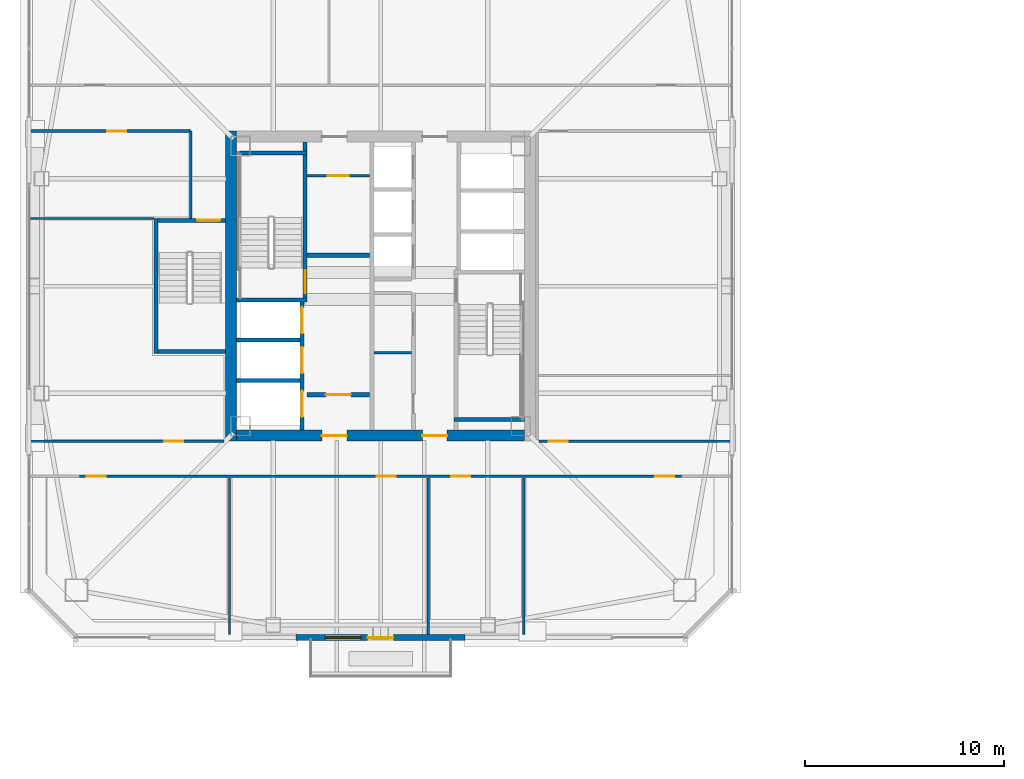
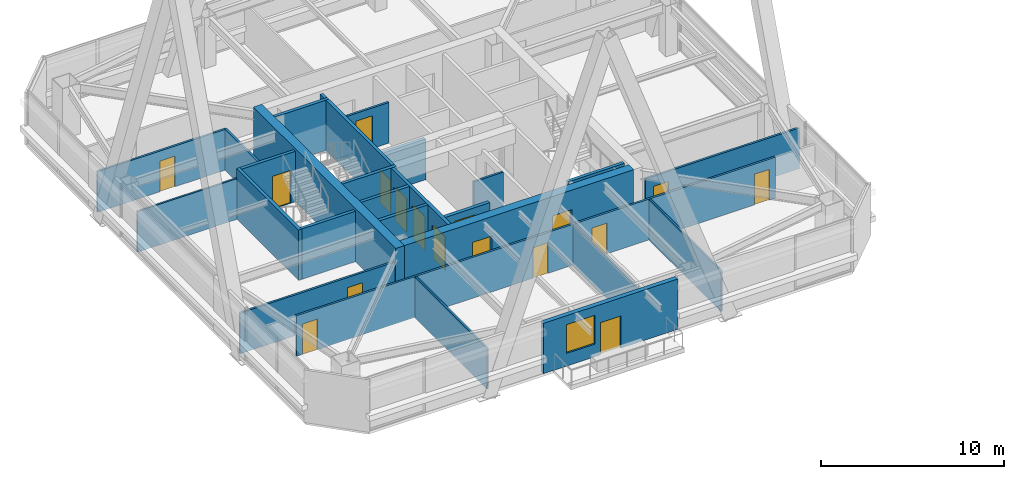
# One storey, part 45 of 55: 26 walls, 17 doors, 1 window, 18 openings.
"""IFC4 building model written with IfcOpenShell, lengths in metres."""

from ifc_helpers import new_model, si_unit, direction, frame, frame_2d, origin, place, context, subcontext, project, spatial, rectangle, extrude, material, layer, layer_set, type_object, element, fill, save


model = new_model("IFC4")

# Units and contexts
model_context = context("Model", 3, precision=1e-05, world=origin(), true_north=direction((0.0, 1.0)))
body_context = subcontext(model_context, "Body", "Model", "MODEL_VIEW")
ifc_project = project(units=[si_unit("LENGTHUNIT", "METRE"), si_unit("AREAUNIT", "SQUARE_METRE"), si_unit("VOLUMEUNIT", "CUBIC_METRE"), si_unit("PLANEANGLEUNIT", "RADIAN"), si_unit("MASSUNIT", "GRAM", prefix="KILO")], contexts=[model_context])

# Site, building, storey
site_placement = place(None, origin())
site = spatial("IfcSite", under=ifc_project, at=site_placement, CompositionType="ELEMENT")
building_placement = place(site_placement, origin())
building = spatial("IfcBuilding", under=site, at=building_placement, Name="Tashvorn Skyway Center", CompositionType="ELEMENT")
storey_placement = place(building_placement, frame((0.0, 0.0, 178.300048828125)))
storey = spatial("IfcBuildingStorey", under=building, at=storey_placement, Name="L48", CompositionType="ELEMENT", Elevation=178.300048828125)

# Wall
ifc_material_1 = material(Name="Concrete C60/75", Category="concrete")
ifc_layer_1 = layer(ifc_material_1, 0.550048828125)
ifc_layer_set_1 = layer_set([ifc_layer_1], Name="Concrete C60/75")
wall_type_1 = type_object("IfcWallType", Name="WALL-CORE-550", PredefinedType="SHEAR", material=ifc_layer_set_1)
wall_1_placement = place(storey_placement, frame((34.47509765625, 24.199951171875, 0.0), z_axis=(0.0, 0.0, 1.0), x_axis=(0.0, 1.0, 0.0)))
element("IfcWall", 1, at=wall_1_placement, inside=storey, type_object=wall_type_1, Name="Tower 1 L48 West Core Shear Wall", PredefinedType="SHEAR", context=body_context, shape_type="SweptSolid", body=[
    extrude(rectangle(XDim=15.60009765625, YDim=0.550048828125, at=frame_2d((7.800048828125, 0.0))), origin(), (0.0, 0.0, 1.0), 3.550048828125),
])

# Wall, openings, doors
wall_2_placement = place(storey_placement, frame((49.25, 24.47509765625, 0.0), z_axis=(0.0, 0.0, 1.0), x_axis=(-1.0, 0.0, 0.0)))
wall_2 = element("IfcWall", 2, at=wall_2_placement, inside=storey, type_object=wall_type_1, Name="Tower 1 L48 South Core Shear Wall", PredefinedType="SHEAR", context=body_context, shape_type="SweptSolid", body=[
    extrude(rectangle(XDim=14.5, YDim=0.550048828125, at=frame_2d((7.25, 0.0))), origin(), (0.0, 0.0, 1.0), 3.550048828125),
])
opening_1_placement = place(wall_2_placement, frame((8.949951171875, 0.0, 0.0)))
opening_1 = element("IfcOpeningElement", 3, at=opening_1_placement, cuts=wall_2, Name="Opening D-FFL-1250", PredefinedType="OPENING", context=body_context, shape_type="SweptSolid", body=[
    extrude(rectangle(XDim=1.25, YDim=2.25, at=frame_2d((0.625, 1.125))), frame((0.0, 0.284912109375, 0.0), z_axis=(0.0, -1.0, 0.0), x_axis=(1.0, 0.0, 0.0)), (0.0, 0.0, 1.0), 0.570068359375),
])
opening_2_placement = place(wall_2_placement, frame((3.89990234375, 0.0, 0.0)))
opening_2 = element("IfcOpeningElement", 4, at=opening_2_placement, cuts=wall_2, Name="Opening D-FFL-1250", PredefinedType="OPENING", context=body_context, shape_type="SweptSolid", body=[
    extrude(rectangle(XDim=1.25, YDim=2.25, at=frame_2d((0.625, 1.125))), frame((0.0, 0.284912109375, 0.0), z_axis=(0.0, -1.0, 0.0), x_axis=(1.0, 0.0, 0.0)), (0.0, 0.0, 1.0), 0.570068359375),
])
ifc_material_2 = material(Name="Hollow galvanized steel fire door assembly", Category="steel")
door_type_1 = type_object("IfcDoorType", Name="DOOR-FFL-1250", OperationType="NOTDEFINED", PredefinedType="DOOR", material=ifc_material_2)
door_1_placement = place(opening_1_placement, origin())
door_1 = element("IfcDoor", 5, at=door_1_placement, inside=storey, type_object=door_type_1, Name="Tower 1 L48 Core South Firefighting Exit Door", OperationType="SINGLE_SWING_LEFT", OverallHeight=2.25, OverallWidth=1.25, PredefinedType="DOOR", context=body_context, shape_type="SweptSolid", body=[
    extrude(rectangle(XDim=1.25, YDim=2.25, at=frame_2d((0.625, 1.125))), frame((0.0, 0.02490234375, 0.0), z_axis=(0.0, -1.0, 0.0), x_axis=(1.0, 0.0, 0.0)), (0.0, 0.0, 1.0), 0.050048828125),
])
fill(opening_1, door_1)
door_2_placement = place(opening_2_placement, origin())
door_2 = element("IfcDoor", 6, at=door_2_placement, inside=storey, type_object=door_type_1, Name="Tower 1 L48 Core South Lift Lobby Door", OperationType="SINGLE_SWING_RIGHT", OverallHeight=2.25, OverallWidth=1.25, PredefinedType="DOOR", context=body_context, shape_type="SweptSolid", body=[
    extrude(rectangle(XDim=1.25, YDim=2.25, at=frame_2d((0.625, 1.125))), frame((0.0, 0.02490234375, 0.0), z_axis=(0.0, -1.0, 0.0), x_axis=(1.0, 0.0, 0.0)), (0.0, 0.0, 1.0), 0.050048828125),
])
fill(opening_2, door_2)

# Wall, openings, door, window
ifc_material_3 = material(Name="Precast concrete C40/50", Category="concrete")
ifc_layer_2 = layer(ifc_material_3, 0.280029296875)
ifc_layer_set_2 = layer_set([ifc_layer_2], Name="Precast concrete C40/50")
wall_type_2 = type_object("IfcWallType", Name="WALL-EXT-280", PredefinedType="SOLIDWALL", material=ifc_layer_set_2)
wall_3_placement = place(storey_placement, frame((46.25, 14.320068359375, 0.0), z_axis=(0.0, 0.0, 1.0), x_axis=(-1.0, 0.0, 0.0)))
wall_3 = element("IfcWall", 7, at=wall_3_placement, inside=storey, type_object=wall_type_2, Name="Tower 1 L48 South Terrace Portal Wall", PredefinedType="SOLIDWALL", context=body_context, shape_type="SweptSolid", body=[
    extrude(rectangle(XDim=8.5, YDim=0.280029296875, at=frame_2d((4.25, 0.0))), origin(), (0.0, 0.0, 1.0), 3.369873046875),
])
opening_3_placement = place(wall_3_placement, frame((3.60009765625, 0.0, 0.0)))
opening_3 = element("IfcOpeningElement", 8, at=opening_3_placement, cuts=wall_3, Name="Opening D-TER-1300", PredefinedType="OPENING", context=body_context, shape_type="SweptSolid", body=[
    extrude(rectangle(XDim=1.300048828125, YDim=2.14990234375, at=frame_2d((0.64990234375, 1.074951171875))), frame((0.0, 0.14990234375, 0.0), z_axis=(0.0, -1.0, 0.0), x_axis=(1.0, 0.0, 0.0)), (0.0, 0.0, 1.0), 0.300048828125),
])
opening_4_placement = place(wall_3_placement, frame((5.239990234375, 0.0, 0.85009765625)))
opening_4 = element("IfcOpeningElement", 9, at=opening_4_placement, cuts=wall_3, Name="Opening WIN-1800", PredefinedType="OPENING", context=body_context, shape_type="SweptSolid", body=[
    extrude(rectangle(XDim=1.800048828125, YDim=1.919921875, at=frame_2d((0.89990234375, 0.9599609375))), frame((0.0, 0.14990234375, 0.0), z_axis=(0.0, -1.0, 0.0), x_axis=(1.0, 0.0, 0.0)), (0.0, 0.0, 1.0), 0.300048828125),
])
ifc_material_4 = material(Name="Thermally broken bronze-anodized aluminium 6063-T6", Category="aluminium")
door_type_2 = type_object("IfcDoorType", Name="DOOR-TERR-1300", OperationType="NOTDEFINED", PredefinedType="DOOR", material=ifc_material_4)
door_3_placement = place(opening_3_placement, origin())
door_3 = element("IfcDoor", 10, at=door_3_placement, inside=storey, type_object=door_type_2, Name="Tower 1 L48 Terrace Access Door", OperationType="SINGLE_SWING_RIGHT", OverallHeight=2.14990234375, OverallWidth=1.300048828125, PredefinedType="DOOR", context=body_context, shape_type="SweptSolid", body=[
    extrude(rectangle(XDim=1.300048828125, YDim=2.14990234375, at=frame_2d((0.64990234375, 1.074951171875))), frame((0.0, 0.02490234375, 0.0), z_axis=(0.0, -1.0, 0.0), x_axis=(1.0, 0.0, 0.0)), (0.0, 0.0, 1.0), 0.050048828125),
])
fill(opening_3, door_3)
ifc_material_5 = material(Name="Low-E solar-control double insulating safety glass", Category="glass")
window_type = type_object("IfcWindowType", Name="WIN-TERR-1800", PartitioningType="SINGLE_PANEL", PredefinedType="WINDOW", material=ifc_material_5)
window_placement = place(opening_4_placement, origin())
window = element("IfcWindow", 11, at=window_placement, inside=storey, type_object=window_type, Name="Tower 1 L48 Terrace Window", OverallHeight=1.919921875, OverallWidth=1.800048828125, PartitioningType="SINGLE_PANEL", PredefinedType="WINDOW", context=body_context, shape_type="SweptSolid", body=[
    extrude(rectangle(XDim=1.800048828125, YDim=1.919921875, at=frame_2d((0.89990234375, 0.9599609375))), frame((0.0, 0.030029296875, 0.0), z_axis=(0.0, -1.0, 0.0), x_axis=(1.0, 0.0, 0.0)), (0.0, 0.0, 1.0), 0.06005859375),
])
fill(opening_4, window)

# Wall
ifc_material_6 = material(Name="Concrete C40/50", Category="concrete")
ifc_layer_3 = layer(ifc_material_6, 0.219970703125)
ifc_layer_set_3 = layer_set([ifc_layer_3], Name="Concrete C40/50")
wall_type_3 = type_object("IfcWallType", Name="WALL-FFL-220", PredefinedType="SOLIDWALL", material=ifc_layer_set_3)
wall_4_placement = place(storey_placement, frame((38.300048828125, 33.56005859375, 0.0), z_axis=(0.0, 0.0, 1.0), x_axis=(1.0, 0.0, 0.0)))
element("IfcWall", 12, at=wall_4_placement, inside=storey, type_object=wall_type_3, Name="Tower 1 L48 Firefighting Lobby North Wall", PredefinedType="SOLIDWALL", context=body_context, shape_type="SweptSolid", body=[
    extrude(rectangle(XDim=3.14990234375, YDim=0.219970703125, at=frame_2d((1.574951171875, 0.0))), origin(), (0.0, 0.0, 1.0), 2.722900390625),
])

# Wall, opening, door
wall_5_placement = place(storey_placement, frame((38.300048828125, 26.5400390625, 0.0), z_axis=(0.0, 0.0, 1.0), x_axis=(1.0, 0.0, 0.0)))
wall_5 = element("IfcWall", 13, at=wall_5_placement, inside=storey, type_object=wall_type_3, Name="Tower 1 L48 Firefighting Lobby South Wall", PredefinedType="SOLIDWALL", context=body_context, shape_type="SweptSolid", body=[
    extrude(rectangle(XDim=3.14990234375, YDim=0.219970703125, at=frame_2d((1.574951171875, 0.0))), origin(), (0.0, 0.0, 1.0), 2.722900390625),
])
opening_5_placement = place(wall_5_placement, frame((0.949951171875, 0.0, 0.0)))
opening_5 = element("IfcOpeningElement", 14, at=opening_5_placement, cuts=wall_5, Name="Opening D-FFL-1250", PredefinedType="OPENING", context=body_context, shape_type="SweptSolid", body=[
    extrude(rectangle(XDim=1.25, YDim=2.25, at=frame_2d((0.625, 1.125))), frame((0.0, 0.119873046875, 0.0), z_axis=(0.0, -1.0, 0.0), x_axis=(1.0, 0.0, 0.0)), (0.0, 0.0, 1.0), 0.239990234375),
])
door_4_placement = place(opening_5_placement, origin())
door_4 = element("IfcDoor", 15, at=door_4_placement, inside=storey, type_object=door_type_1, Name="Tower 1 L48 Firefighting Lobby Egress Door", OperationType="SINGLE_SWING_LEFT", OverallHeight=2.25, OverallWidth=1.25, PredefinedType="DOOR", context=body_context, shape_type="SweptSolid", body=[
    extrude(rectangle(XDim=1.25, YDim=2.25, at=frame_2d((0.625, 1.125))), frame((0.0, 0.02490234375, 0.0), z_axis=(0.0, -1.0, 0.0), x_axis=(1.0, 0.0, 0.0)), (0.0, 0.0, 1.0), 0.050048828125),
])
fill(opening_5, door_4)

# Walls
ifc_material_7 = material(Name="Gypsum board on cold-formed steel stud framing", Category="steel")
ifc_layer_4 = layer(ifc_material_7, 0.110107421875)
ifc_layer_set_4 = layer_set([ifc_layer_4], Name="Gypsum board on cold-formed steel stud framing")
wall_type_4 = type_object("IfcWallType", Name="WALL-PART-110", PredefinedType="PARTITIONING", material=ifc_layer_set_4)
for number, where, z_axis, x_axis, name in (
    (16, (34.39990234375, 14.469970703125, 0.0), (0.0, 0.0, 1.0), (0.0, 1.0, 0.0), "Tower 1 L48 South Suite Partition 1"),
    (17, (44.39990234375, 14.469970703125, 0.0), (0.0, 0.0, 1.0), (0.0, 1.0, 0.0), "Tower 1 L48 South Suite Partition 2"),
    (18, (49.199951171875, 14.469970703125, 0.0), (0.0, 0.0, 1.0), (0.0, 1.0, 0.0), "Tower 1 L48 South Suite Partition 3"),
):
    element("IfcWall", number, at=place(storey_placement, frame(where, z_axis=z_axis, x_axis=x_axis)), inside=storey, type_object=wall_type_4, Name=name, PredefinedType="PARTITIONING", context=body_context, shape_type="SweptSolid", body=[
        extrude(rectangle(XDim=7.880126953125, YDim=0.110107421875, at=frame_2d((3.93994140625, 0.0))), origin(), (0.0, 0.0, 1.0), 2.722900390625),
    ])
wall_6_placement = place(storey_placement, frame((30.60009765625, 35.39990234375, 0.0), z_axis=(0.0, 0.0, 1.0), x_axis=(-1.0, 0.0, 0.0)))
element("IfcWall", 19, at=wall_6_placement, inside=storey, type_object=wall_type_4, Name="Tower 1 L48 West Suite Partition 1", PredefinedType="PARTITIONING", context=body_context, shape_type="SweptSolid", body=[
    extrude(rectangle(XDim=6.280029296875, YDim=0.110107421875, at=frame_2d((3.14013671875, 0.0))), origin(), (0.0, 0.0, 1.0), 2.722900390625),
])
ifc_layer_5 = layer(ifc_material_7, 0.135009765625)
ifc_layer_set_5 = layer_set([ifc_layer_5], Name="Gypsum board on cold-formed steel stud framing")
wall_type_5 = type_object("IfcWallType", Name="WALL-PART-135", PredefinedType="PARTITIONING", material=ifc_layer_set_5)
wall_7_placement = place(storey_placement, frame((32.449951171875, 35.39990234375, 0.0), z_axis=(0.0, 0.0, 1.0), x_axis=(0.0, 1.0, 0.0)))
element("IfcWall", 20, at=wall_7_placement, inside=storey, type_object=wall_type_5, Name="Tower 1 L48 Stair 3 Access Corridor Wall", PredefinedType="PARTITIONING", context=body_context, shape_type="SweptSolid", body=[
    extrude(rectangle(XDim=4.400146484375, YDim=0.135009765625, at=frame_2d((2.2001953125, 0.0))), origin(), (0.0, 0.0, 1.0), 2.722900390625),
])

# Wall, openings, doors
wall_8_placement = place(storey_placement, frame((57.14990234375, 22.429931640625, 0.0), z_axis=(0.0, 0.0, 1.0), x_axis=(-1.0, 0.0, 0.0)))
wall_8 = element("IfcWall", 21, at=wall_8_placement, inside=storey, type_object=wall_type_5, Name="Tower 1 L48 South Suite Wall", PredefinedType="PARTITIONING", context=body_context, shape_type="SweptSolid", body=[
    extrude(rectangle(XDim=30.2998046875, YDim=0.135009765625, at=frame_2d((15.14990234375, 0.0))), origin(), (0.0, 0.0, 1.0), 2.722900390625),
])
opening_6_placement = place(wall_8_placement, frame((28.969970703125, 0.0, 0.0)))
opening_6 = element("IfcOpeningElement", 22, at=opening_6_placement, cuts=wall_8, Name="Opening D-INT-950", PredefinedType="OPENING", context=body_context, shape_type="SweptSolid", body=[
    extrude(rectangle(XDim=0.949951171875, YDim=2.050048828125, at=frame_2d((0.47509765625, 1.02490234375))), frame((0.0, 0.077392578125, 0.0), z_axis=(0.0, -1.0, 0.0), x_axis=(1.0, 0.0, 0.0)), (0.0, 0.0, 1.0), 0.155029296875),
])
opening_7_placement = place(wall_8_placement, frame((14.385986328125, 0.0, 0.0)))
opening_7 = element("IfcOpeningElement", 23, at=opening_7_placement, cuts=wall_8, Name="Opening D-INT-950", PredefinedType="OPENING", context=body_context, shape_type="SweptSolid", body=[
    extrude(rectangle(XDim=0.949951171875, YDim=2.050048828125, at=frame_2d((0.47509765625, 1.02490234375))), frame((0.0, 0.077392578125, 0.0), z_axis=(0.0, -1.0, 0.0), x_axis=(1.0, 0.0, 0.0)), (0.0, 0.0, 1.0), 0.155029296875),
])
opening_8_placement = place(wall_8_placement, frame((10.6474609375, 0.0, 0.0)))
opening_8 = element("IfcOpeningElement", 24, at=opening_8_placement, cuts=wall_8, Name="Opening D-INT-950", PredefinedType="OPENING", context=body_context, shape_type="SweptSolid", body=[
    extrude(rectangle(XDim=0.949951171875, YDim=2.050048828125, at=frame_2d((0.47509765625, 1.02490234375))), frame((0.0, 0.077392578125, 0.0), z_axis=(0.0, -1.0, 0.0), x_axis=(1.0, 0.0, 0.0)), (0.0, 0.0, 1.0), 0.155029296875),
])
opening_9_placement = place(wall_8_placement, frame((0.3798828125, 0.0, 0.0)))
opening_9 = element("IfcOpeningElement", 25, at=opening_9_placement, cuts=wall_8, Name="Opening D-INT-950", PredefinedType="OPENING", context=body_context, shape_type="SweptSolid", body=[
    extrude(rectangle(XDim=0.949951171875, YDim=2.050048828125, at=frame_2d((0.47509765625, 1.02490234375))), frame((0.0, 0.077392578125, 0.0), z_axis=(0.0, -1.0, 0.0), x_axis=(1.0, 0.0, 0.0)), (0.0, 0.0, 1.0), 0.155029296875),
])
ifc_material_8 = material(Name="Solid-core architectural oak veneer door")
door_type_3 = type_object("IfcDoorType", Name="DOOR-INT-950", OperationType="NOTDEFINED", PredefinedType="DOOR", material=ifc_material_8)
door_5_placement = place(opening_6_placement, origin())
door_5 = element("IfcDoor", 26, at=door_5_placement, inside=storey, type_object=door_type_3, Name="Tower 1 L48 Open Plan Office Door", OperationType="SINGLE_SWING_LEFT", OverallHeight=2.050048828125, OverallWidth=0.949951171875, PredefinedType="DOOR", context=body_context, shape_type="SweptSolid", body=[
    extrude(rectangle(XDim=0.949951171875, YDim=2.050048828125, at=frame_2d((0.47509765625, 1.02490234375))), frame((0.0, 0.02490234375, 0.0), z_axis=(0.0, -1.0, 0.0), x_axis=(1.0, 0.0, 0.0)), (0.0, 0.0, 1.0), 0.050048828125),
])
fill(opening_6, door_5)
door_6_placement = place(opening_7_placement, origin())
door_6 = element("IfcDoor", 27, at=door_6_placement, inside=storey, type_object=door_type_3, Name="Tower 1 L48 Boardroom Door", OperationType="SINGLE_SWING_RIGHT", OverallHeight=2.050048828125, OverallWidth=0.949951171875, PredefinedType="DOOR", context=body_context, shape_type="SweptSolid", body=[
    extrude(rectangle(XDim=0.949951171875, YDim=2.050048828125, at=frame_2d((0.47509765625, 1.02490234375))), frame((0.0, 0.02490234375, 0.0), z_axis=(0.0, -1.0, 0.0), x_axis=(1.0, 0.0, 0.0)), (0.0, 0.0, 1.0), 0.050048828125),
])
fill(opening_7, door_6)
door_7_placement = place(opening_8_placement, origin())
door_7 = element("IfcDoor", 28, at=door_7_placement, inside=storey, type_object=door_type_3, Name="Tower 1 L48 Boardroom Door", OperationType="SINGLE_SWING_LEFT", OverallHeight=2.050048828125, OverallWidth=0.949951171875, PredefinedType="DOOR", context=body_context, shape_type="SweptSolid", body=[
    extrude(rectangle(XDim=0.949951171875, YDim=2.050048828125, at=frame_2d((0.47509765625, 1.02490234375))), frame((0.0, 0.02490234375, 0.0), z_axis=(0.0, -1.0, 0.0), x_axis=(1.0, 0.0, 0.0)), (0.0, 0.0, 1.0), 0.050048828125),
])
fill(opening_8, door_7)
door_8_placement = place(opening_9_placement, origin())
door_8 = element("IfcDoor", 29, at=door_8_placement, inside=storey, type_object=door_type_3, Name="Tower 1 L48 Staff Fitness Club Door", OperationType="SINGLE_SWING_RIGHT", OverallHeight=2.050048828125, OverallWidth=0.949951171875, PredefinedType="DOOR", context=body_context, shape_type="SweptSolid", body=[
    extrude(rectangle(XDim=0.949951171875, YDim=2.050048828125, at=frame_2d((0.47509765625, 1.02490234375))), frame((0.0, 0.02490234375, 0.0), z_axis=(0.0, -1.0, 0.0), x_axis=(1.0, 0.0, 0.0)), (0.0, 0.0, 1.0), 0.050048828125),
])
fill(opening_9, door_8)

# Wall, opening, door
wall_9_placement = place(storey_placement, frame((49.9599609375, 24.199951171875, 0.0), z_axis=(0.0, 0.0, 1.0), x_axis=(1.0, 0.0, 0.0)))
wall_9 = element("IfcWall", 30, at=wall_9_placement, inside=storey, type_object=wall_type_5, Name="Tower 1 L48 East Suite South Wall", PredefinedType="PARTITIONING", context=body_context, shape_type="SweptSolid", body=[
    extrude(rectangle(XDim=9.719970703125, YDim=0.135009765625, at=frame_2d((4.85986328125, 0.0))), origin(), (0.0, 0.0, 1.0), 2.722900390625),
])
opening_10_placement = place(wall_9_placement, frame((0.5, 0.0, 0.0)))
opening_10 = element("IfcOpeningElement", 31, at=opening_10_placement, cuts=wall_9, Name="Opening D-INT-950", PredefinedType="OPENING", context=body_context, shape_type="SweptSolid", body=[
    extrude(rectangle(XDim=0.949951171875, YDim=2.050048828125, at=frame_2d((0.47509765625, 1.02490234375))), frame((0.0, 0.077392578125, 0.0), z_axis=(0.0, -1.0, 0.0), x_axis=(1.0, 0.0, 0.0)), (0.0, 0.0, 1.0), 0.155029296875),
])
door_9_placement = place(opening_10_placement, origin())
door_9 = element("IfcDoor", 32, at=door_9_placement, inside=storey, type_object=door_type_3, Name="Tower 1 L48 Public Restroom Door", OperationType="SINGLE_SWING_RIGHT", OverallHeight=2.050048828125, OverallWidth=0.949951171875, PredefinedType="DOOR", context=body_context, shape_type="SweptSolid", body=[
    extrude(rectangle(XDim=0.949951171875, YDim=2.050048828125, at=frame_2d((0.47509765625, 1.02490234375))), frame((0.0, 0.02490234375, 0.0), z_axis=(0.0, -1.0, 0.0), x_axis=(1.0, 0.0, 0.0)), (0.0, 0.0, 1.0), 0.050048828125),
])
fill(opening_10, door_9)

wall_10_placement = place(storey_placement, frame((32.449951171875, 39.800048828125, 0.0), z_axis=(0.0, 0.0, 1.0), x_axis=(-1.0, 0.0, 0.0)))
wall_10 = element("IfcWall", 33, at=wall_10_placement, inside=storey, type_object=wall_type_5, Name="Tower 1 L48 West Suite North Wall", PredefinedType="PARTITIONING", context=body_context, shape_type="SweptSolid", body=[
    extrude(rectangle(XDim=8.1298828125, YDim=0.135009765625, at=frame_2d((4.06494140625, 0.0))), origin(), (0.0, 0.0, 1.0), 2.722900390625),
])
opening_11_placement = place(wall_10_placement, frame((3.239990234375, 0.0, 0.0)))
opening_11 = element("IfcOpeningElement", 34, at=opening_11_placement, cuts=wall_10, Name="Opening D-INT-950", PredefinedType="OPENING", context=body_context, shape_type="SweptSolid", body=[
    extrude(rectangle(XDim=0.949951171875, YDim=2.050048828125, at=frame_2d((0.47509765625, 1.02490234375))), frame((0.0, 0.077392578125, 0.0), z_axis=(0.0, -1.0, 0.0), x_axis=(1.0, 0.0, 0.0)), (0.0, 0.0, 1.0), 0.155029296875),
])
door_10_placement = place(opening_11_placement, origin())
door_10 = element("IfcDoor", 35, at=door_10_placement, inside=storey, type_object=door_type_3, Name="Tower 1 L48 Staff Fitness Club Door", OperationType="SINGLE_SWING_LEFT", OverallHeight=2.050048828125, OverallWidth=0.949951171875, PredefinedType="DOOR", context=body_context, shape_type="SweptSolid", body=[
    extrude(rectangle(XDim=0.949951171875, YDim=2.050048828125, at=frame_2d((0.47509765625, 1.02490234375))), frame((0.0, 0.02490234375, 0.0), z_axis=(0.0, -1.0, 0.0), x_axis=(1.0, 0.0, 0.0)), (0.0, 0.0, 1.0), 0.050048828125),
])
fill(opening_11, door_10)

wall_11_placement = place(storey_placement, frame((24.320068359375, 24.199951171875, 0.0), z_axis=(0.0, 0.0, 1.0), x_axis=(1.0, 0.0, 0.0)))
wall_11 = element("IfcWall", 36, at=wall_11_placement, inside=storey, type_object=wall_type_5, Name="Tower 1 L48 West Suite South Wall", PredefinedType="PARTITIONING", context=body_context, shape_type="SweptSolid", body=[
    extrude(rectangle(XDim=9.800048828125, YDim=0.135009765625, at=frame_2d((4.89990234375, 0.0))), origin(), (0.0, 0.0, 1.0), 2.722900390625),
])
opening_12_placement = place(wall_11_placement, frame((6.804931640625, 0.0, 0.0)))
opening_12 = element("IfcOpeningElement", 37, at=opening_12_placement, cuts=wall_11, Name="Opening D-INT-950", PredefinedType="OPENING", context=body_context, shape_type="SweptSolid", body=[
    extrude(rectangle(XDim=0.949951171875, YDim=2.050048828125, at=frame_2d((0.47509765625, 1.02490234375))), frame((0.0, 0.077392578125, 0.0), z_axis=(0.0, -1.0, 0.0), x_axis=(1.0, 0.0, 0.0)), (0.0, 0.0, 1.0), 0.155029296875),
])
door_11_placement = place(opening_12_placement, origin())
door_11 = element("IfcDoor", 38, at=door_11_placement, inside=storey, type_object=door_type_3, Name="Tower 1 L48 Public Restroom Door", OperationType="SINGLE_SWING_RIGHT", OverallHeight=2.050048828125, OverallWidth=0.949951171875, PredefinedType="DOOR", context=body_context, shape_type="SweptSolid", body=[
    extrude(rectangle(XDim=0.949951171875, YDim=2.050048828125, at=frame_2d((0.47509765625, 1.02490234375))), frame((0.0, 0.02490234375, 0.0), z_axis=(0.0, -1.0, 0.0), x_axis=(1.0, 0.0, 0.0)), (0.0, 0.0, 1.0), 0.050048828125),
])
fill(opening_12, door_11)

ifc_layer_6 = layer(ifc_material_7, 0.135009765625)
ifc_layer_set_6 = layer_set([ifc_layer_6], Name="Gypsum board on cold-formed steel stud framing")
wall_type_6 = type_object("IfcWallType", Name="WALL-RATED-135", PredefinedType="PARTITIONING", material=ifc_layer_set_6)
wall_12_placement = place(storey_placement, frame((38.300048828125, 37.550048828125, 0.0), z_axis=(0.0, 0.0, 1.0), x_axis=(1.0, 0.0, 0.0)))
wall_12 = element("IfcWall", 39, at=wall_12_placement, inside=storey, type_object=wall_type_6, Name="Tower 1 L48 Core Service Lobby Wall", PredefinedType="PARTITIONING", context=body_context, shape_type="SweptSolid", body=[
    extrude(rectangle(XDim=3.14990234375, YDim=0.135009765625, at=frame_2d((1.574951171875, 0.0))), origin(), (0.0, 0.0, 1.0), 2.722900390625),
])
opening_13_placement = place(wall_12_placement, frame((1.050048828125, 0.0, 0.0)))
opening_13 = element("IfcOpeningElement", 40, at=opening_13_placement, cuts=wall_12, Name="Opening D-RT-1050", PredefinedType="OPENING", context=body_context, shape_type="SweptSolid", body=[
    extrude(rectangle(XDim=1.050048828125, YDim=2.199951171875, at=frame_2d((0.52490234375, 1.10009765625))), frame((0.0, 0.077392578125, 0.0), z_axis=(0.0, -1.0, 0.0), x_axis=(1.0, 0.0, 0.0)), (0.0, 0.0, 1.0), 0.155029296875),
])
door_type_4 = type_object("IfcDoorType", Name="DOOR-RATED-1050", OperationType="NOTDEFINED", PredefinedType="DOOR", material=ifc_material_2)
door_12_placement = place(opening_13_placement, origin())
door_12 = element("IfcDoor", 41, at=door_12_placement, inside=storey, type_object=door_type_4, Name="Tower 1 L48 Core Accessible WC Door", OperationType="SINGLE_SWING_LEFT", OverallHeight=2.199951171875, OverallWidth=1.050048828125, PredefinedType="DOOR", context=body_context, shape_type="SweptSolid", body=[
    extrude(rectangle(XDim=1.050048828125, YDim=2.199951171875, at=frame_2d((0.52490234375, 1.10009765625))), frame((0.0, 0.02490234375, 0.0), z_axis=(0.0, -1.0, 0.0), x_axis=(1.0, 0.0, 0.0)), (0.0, 0.0, 1.0), 0.050048828125),
])
fill(opening_13, door_12)

# Walls
wall_13_placement = place(storey_placement, frame((41.669921875, 28.64990234375, 0.0), z_axis=(0.0, 0.0, 1.0), x_axis=(1.0, 0.0, 0.0)))
element("IfcWall", 42, at=wall_13_placement, inside=storey, type_object=wall_type_6, Name="Tower 1 L48 Freed Core Partition", PredefinedType="PARTITIONING", context=body_context, shape_type="SweptSolid", body=[
    extrude(rectangle(XDim=1.880126953125, YDim=0.135009765625, at=frame_2d((0.93994140625, 0.0))), origin(), (0.0, 0.0, 1.0), 2.722900390625),
])
ifc_layer_7 = layer(ifc_material_6, 0.199951171875)
ifc_layer_set_7 = layer_set([ifc_layer_7], Name="Concrete C40/50")
wall_type_7 = type_object("IfcWallType", Name="WALL-SHAFT-200", PredefinedType="SOLIDWALL", material=ifc_layer_set_7)
for number, where, z_axis, x_axis, name in (
    (43, (34.75, 27.25, 0.0), (0.0, 0.0, 1.0), (1.0, 0.0, 0.0), "Tower 1 L48 FSAE Shaft Divider"),
    (44, (34.75, 29.280029296875, 0.0), (0.0, 0.0, 1.0), (1.0, 0.0, 0.0), "Tower 1 L48 FSAE Shaft Divider"),
):
    element("IfcWall", number, at=place(storey_placement, frame(where, z_axis=z_axis, x_axis=x_axis)), inside=storey, type_object=wall_type_7, Name=name, PredefinedType="SOLIDWALL", context=body_context, shape_type="SweptSolid", body=[
        extrude(rectangle(XDim=3.199951171875, YDim=0.199951171875, at=frame_2d((1.60009765625, 0.0))), origin(), (0.0, 0.0, 1.0), 3.369873046875),
    ])

# Wall, opening, door
ifc_layer_8 = layer(ifc_material_6, 0.199951171875)
ifc_layer_set_8 = layer_set([ifc_layer_8], Name="Concrete C40/50")
wall_type_8 = type_object("IfcWallType", Name="WALL-STSHF-200", PredefinedType="SHEAR", material=ifc_layer_set_8)
wall_14_placement = place(storey_placement, frame((38.199951171875, 31.199951171875, 0.0), z_axis=(0.0, 0.0, 1.0), x_axis=(0.0, 1.0, 0.0)))
wall_14 = element("IfcWall", 45, at=wall_14_placement, inside=storey, type_object=wall_type_8, Name="Tower 1 L48 Stair 1 Enclosure Wall", PredefinedType="SHEAR", context=body_context, shape_type="SweptSolid", body=[
    extrude(rectangle(XDim=8.050048828125, YDim=0.199951171875, at=frame_2d((4.02490234375, 0.0))), origin(), (0.0, 0.0, 1.0), 3.369873046875),
])
opening_14_placement = place(wall_14_placement, frame((0.449951171875, 0.0, 0.0)))
opening_14 = element("IfcOpeningElement", 46, at=opening_14_placement, cuts=wall_14, Name="Opening D-ST-1150", PredefinedType="OPENING", context=body_context, shape_type="SweptSolid", body=[
    extrude(rectangle(XDim=1.14990234375, YDim=2.199951171875, at=frame_2d((0.574951171875, 1.10009765625))), frame((0.0, 0.10986328125, 0.0), z_axis=(0.0, -1.0, 0.0), x_axis=(1.0, 0.0, 0.0)), (0.0, 0.0, 1.0), 0.219970703125),
])
door_type_5 = type_object("IfcDoorType", Name="DOOR-STAIR-1150", OperationType="NOTDEFINED", PredefinedType="DOOR", material=ifc_material_2)
door_13_placement = place(opening_14_placement, origin())
door_13 = element("IfcDoor", 47, at=door_13_placement, inside=storey, type_object=door_type_5, Name="Tower 1 L48 Exit Stair 1 Door", OperationType="SINGLE_SWING_RIGHT", OverallHeight=2.199951171875, OverallWidth=1.14990234375, PredefinedType="DOOR", context=body_context, shape_type="SweptSolid", body=[
    extrude(rectangle(XDim=1.14990234375, YDim=2.199951171875, at=frame_2d((0.574951171875, 1.10009765625))), frame((0.0, 0.02490234375, 0.0), z_axis=(0.0, -1.0, 0.0), x_axis=(1.0, 0.0, 0.0)), (0.0, 0.0, 1.0), 0.050048828125),
])
fill(opening_14, door_13)

# Walls
for number, where, z_axis, x_axis, name in (
    (48, (34.75, 31.300048828125, 0.0), (0.0, 0.0, 1.0), (1.0, 0.0, 0.0), "Tower 1 L48 Stair 1 South Wall"),
    (49, (34.75, 38.699951171875, 0.0), (0.0, 0.0, 1.0), (1.0, 0.0, 0.0), "Tower 1 L48 Stair 1 North Wall"),
    (50, (45.699951171875, 25.300048828125, 0.0), (0.0, 0.0, 1.0), (1.0, 0.0, 0.0), "Tower 1 L48 Stair 2 South Wall"),
):
    element("IfcWall", number, at=place(storey_placement, frame(where, z_axis=z_axis, x_axis=x_axis)), inside=storey, type_object=wall_type_8, Name=name, PredefinedType="SHEAR", context=body_context, shape_type="SweptSolid", body=[
        extrude(rectangle(XDim=3.550048828125, YDim=0.199951171875, at=frame_2d((1.77490234375, 0.0))), origin(), (0.0, 0.0, 1.0), 3.369873046875),
    ])

# Wall, openings, doors
wall_15_placement = place(storey_placement, frame((38.050048828125, 24.75, 0.0), z_axis=(0.0, 0.0, 1.0), x_axis=(0.0, 1.0, 0.0)))
wall_15 = element("IfcWall", 51, at=wall_15_placement, inside=storey, type_object=wall_type_8, Name="Tower 1 L48 FSAE and Goods Shaft Front Wall", PredefinedType="SHEAR", context=body_context, shape_type="SweptSolid", body=[
    extrude(rectangle(XDim=6.449951171875, YDim=0.199951171875, at=frame_2d((3.22509765625, 0.0))), origin(), (0.0, 0.0, 1.0), 3.369873046875),
])
opening_15_placement = place(wall_15_placement, frame((4.875, 0.0, 0.0)))
opening_15 = element("IfcOpeningElement", 52, at=opening_15_placement, cuts=wall_15, Name="Opening LD-FF-T1-1-L48", PredefinedType="OPENING", context=body_context, shape_type="SweptSolid", body=[
    extrude(rectangle(XDim=1.300048828125, YDim=2.25, at=frame_2d((0.64990234375, 1.125))), frame((0.0, 0.10986328125, 0.0), z_axis=(0.0, -1.0, 0.0), x_axis=(1.0, 0.0, 0.0)), (0.0, 0.0, 1.0), 0.219970703125),
])
opening_16_placement = place(wall_15_placement, frame((2.875, 0.0, 0.0)))
opening_16 = element("IfcOpeningElement", 53, at=opening_16_placement, cuts=wall_15, Name="Opening LD-FF-T1-2-L48", PredefinedType="OPENING", context=body_context, shape_type="SweptSolid", body=[
    extrude(rectangle(XDim=1.300048828125, YDim=2.25, at=frame_2d((0.64990234375, 1.125))), frame((0.0, 0.10986328125, 0.0), z_axis=(0.0, -1.0, 0.0), x_axis=(1.0, 0.0, 0.0)), (0.0, 0.0, 1.0), 0.219970703125),
])
opening_17_placement = place(wall_15_placement, frame((0.675048828125, 0.0, 0.0)))
opening_17 = element("IfcOpeningElement", 54, at=opening_17_placement, cuts=wall_15, Name="Opening LD-GD-T1-1-L48", PredefinedType="OPENING", context=body_context, shape_type="SweptSolid", body=[
    extrude(rectangle(XDim=1.300048828125, YDim=2.25, at=frame_2d((0.64990234375, 1.125))), frame((0.0, 0.10986328125, 0.0), z_axis=(0.0, -1.0, 0.0), x_axis=(1.0, 0.0, 0.0)), (0.0, 0.0, 1.0), 0.219970703125),
])
ifc_material_9 = material(Name="Stainless steel heavy-duty landing door", Category="steel")
door_type_6 = type_object("IfcDoorType", Name="DOOR-LIFT-1300", OperationType="SLIDING_TO_LEFT", PredefinedType="DOOR", material=ifc_material_9)
door_14_placement = place(opening_15_placement, origin())
door_14 = element("IfcDoor", 55, at=door_14_placement, inside=storey, type_object=door_type_6, Name="Lift FF-T1-1 L48 Landing Door", OperationType="SLIDING_TO_LEFT", OverallHeight=2.25, OverallWidth=1.300048828125, PredefinedType="DOOR", context=body_context, shape_type="SweptSolid", body=[
    extrude(rectangle(XDim=1.300048828125, YDim=2.25, at=frame_2d((0.64990234375, 1.125))), frame((0.0, 0.02490234375, 0.0), z_axis=(0.0, -1.0, 0.0), x_axis=(1.0, 0.0, 0.0)), (0.0, 0.0, 1.0), 0.050048828125),
])
fill(opening_15, door_14)
door_15_placement = place(opening_16_placement, origin())
door_15 = element("IfcDoor", 56, at=door_15_placement, inside=storey, type_object=door_type_6, Name="Lift FF-T1-2 L48 Landing Door", OperationType="SLIDING_TO_LEFT", OverallHeight=2.25, OverallWidth=1.300048828125, PredefinedType="DOOR", context=body_context, shape_type="SweptSolid", body=[
    extrude(rectangle(XDim=1.300048828125, YDim=2.25, at=frame_2d((0.64990234375, 1.125))), frame((0.0, 0.02490234375, 0.0), z_axis=(0.0, -1.0, 0.0), x_axis=(1.0, 0.0, 0.0)), (0.0, 0.0, 1.0), 0.050048828125),
])
fill(opening_16, door_15)
door_16_placement = place(opening_17_placement, origin())
door_16 = element("IfcDoor", 57, at=door_16_placement, inside=storey, type_object=door_type_6, Name="Lift GD-T1-1 L48 Landing Door", OperationType="SLIDING_TO_LEFT", OverallHeight=2.25, OverallWidth=1.300048828125, PredefinedType="DOOR", context=body_context, shape_type="SweptSolid", body=[
    extrude(rectangle(XDim=1.300048828125, YDim=2.25, at=frame_2d((0.64990234375, 1.125))), frame((0.0, 0.02490234375, 0.0), z_axis=(0.0, -1.0, 0.0), x_axis=(1.0, 0.0, 0.0)), (0.0, 0.0, 1.0), 0.050048828125),
])
fill(opening_17, door_16)

# Wall
wall_16_placement = place(storey_placement, frame((30.699951171875, 28.60009765625, 0.0), z_axis=(0.0, 0.0, 1.0), x_axis=(0.0, 1.0, 0.0)))
element("IfcWall", 58, at=wall_16_placement, inside=storey, type_object=wall_type_8, Name="Tower 1 L48 Stair 3 Outer Wall", PredefinedType="SHEAR", context=body_context, shape_type="SweptSolid", body=[
    extrude(rectangle(XDim=6.7998046875, YDim=0.199951171875, at=frame_2d((3.39990234375, 0.0))), origin(), (0.0, 0.0, 1.0), 3.369873046875),
])

# Wall, opening, door
wall_17_placement = place(storey_placement, frame((34.199951171875, 35.300048828125, 0.0), z_axis=(0.0, 0.0, 1.0), x_axis=(-1.0, 0.0, 0.0)))
wall_17 = element("IfcWall", 59, at=wall_17_placement, inside=storey, type_object=wall_type_8, Name="Tower 1 L48 Stair 3 Enclosure Wall", PredefinedType="SHEAR", context=body_context, shape_type="SweptSolid", body=[
    extrude(rectangle(XDim=3.39990234375, YDim=0.199951171875, at=frame_2d((1.699951171875, 0.0))), origin(), (0.0, 0.0, 1.0), 3.369873046875),
])
opening_18_placement = place(wall_17_placement, frame((0.27490234375, 0.0, 0.0)))
opening_18 = element("IfcOpeningElement", 60, at=opening_18_placement, cuts=wall_17, Name="Opening D-ST-1150", PredefinedType="OPENING", context=body_context, shape_type="SweptSolid", body=[
    extrude(rectangle(XDim=1.14990234375, YDim=2.199951171875, at=frame_2d((0.574951171875, 1.10009765625))), frame((0.0, 0.10986328125, 0.0), z_axis=(0.0, -1.0, 0.0), x_axis=(1.0, 0.0, 0.0)), (0.0, 0.0, 1.0), 0.219970703125),
])
door_17_placement = place(opening_18_placement, origin())
door_17 = element("IfcDoor", 61, at=door_17_placement, inside=storey, type_object=door_type_5, Name="Tower 1 L48 Exit Stair 3 Door", OperationType="SINGLE_SWING_RIGHT", OverallHeight=2.199951171875, OverallWidth=1.14990234375, PredefinedType="DOOR", context=body_context, shape_type="SweptSolid", body=[
    extrude(rectangle(XDim=1.14990234375, YDim=2.199951171875, at=frame_2d((0.574951171875, 1.10009765625))), frame((0.0, 0.02490234375, 0.0), z_axis=(0.0, -1.0, 0.0), x_axis=(1.0, 0.0, 0.0)), (0.0, 0.0, 1.0), 0.050048828125),
])
fill(opening_18, door_17)

# Wall
wall_18_placement = place(storey_placement, frame((30.800048828125, 28.699951171875, 0.0), z_axis=(0.0, 0.0, 1.0), x_axis=(1.0, 0.0, 0.0)))
element("IfcWall", 62, at=wall_18_placement, inside=storey, type_object=wall_type_8, Name="Tower 1 L48 Stair 3 South Wall", PredefinedType="SHEAR", context=body_context, shape_type="SweptSolid", body=[
    extrude(rectangle(XDim=3.39990234375, YDim=0.199951171875, at=frame_2d((1.699951171875, 0.0))), origin(), (0.0, 0.0, 1.0), 3.369873046875),
])

save(model, "model.ifc")
